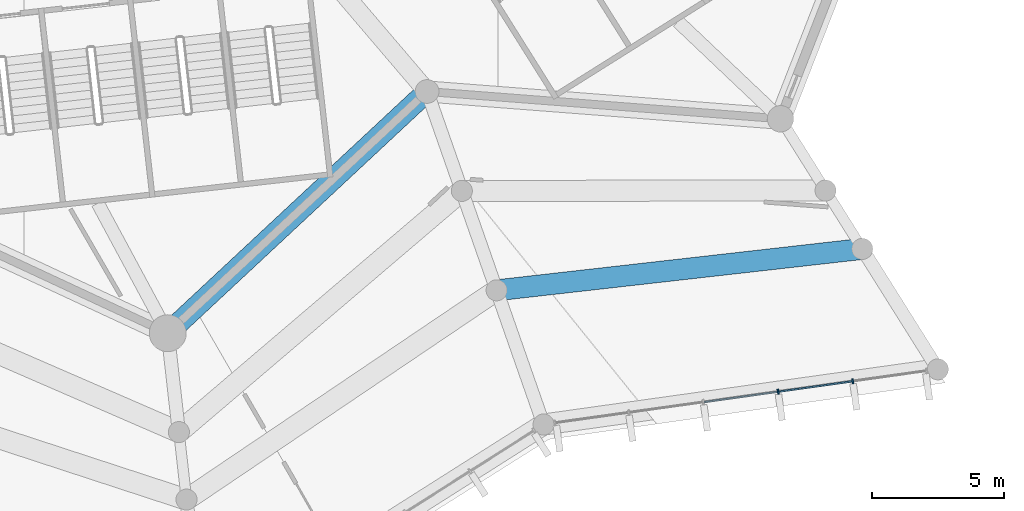
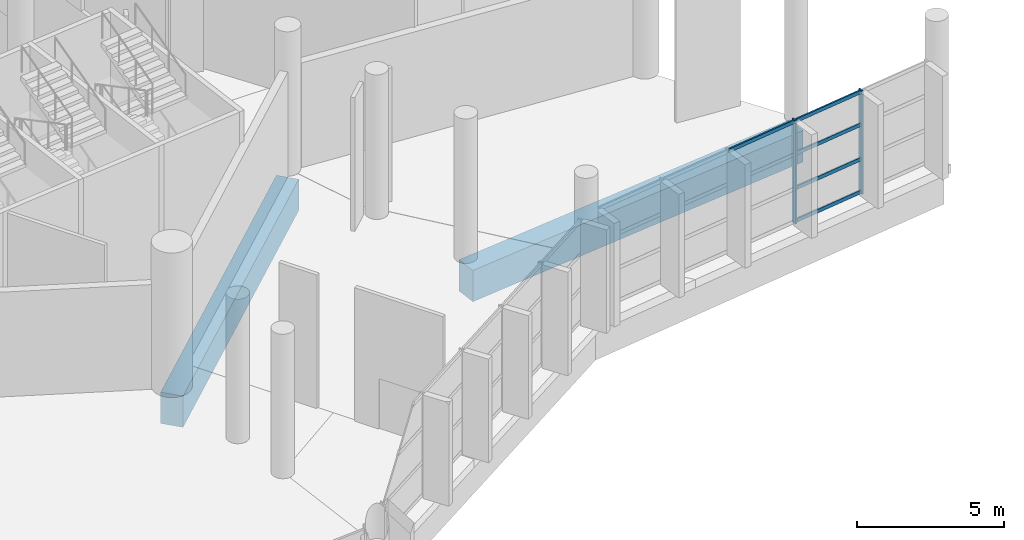
# One storey, part 32 of 249: 7 members, 2 beams, 1 element without a shape of its own.
"""IFC4 building model written with IfcOpenShell, lengths in metres."""

from ifc_helpers import new_model, si_unit, direction, frame, origin, origin_2d, place, context, subcontext, project, spatial, rectangle, extrude, material, layer, layer_set, material_profile, profile_set, type_object, element, aggregate, save


model = new_model("IFC4")

# Units and contexts
model_context = context("Model", 3, precision=1e-05, world=origin(), true_north=direction((0.0, 1.0)))
body_context = subcontext(model_context, "Body", "Model", "MODEL_VIEW")
ifc_project = project(units=[si_unit("LENGTHUNIT", "METRE"), si_unit("AREAUNIT", "SQUARE_METRE"), si_unit("VOLUMEUNIT", "CUBIC_METRE"), si_unit("PLANEANGLEUNIT", "RADIAN"), si_unit("MASSUNIT", "GRAM", prefix="KILO")], contexts=[model_context])

# Site, building, storey
site_placement = place(None, origin())
site = spatial("IfcSite", under=ifc_project, at=site_placement, CompositionType="ELEMENT")
building_placement = place(site_placement, origin())
building = spatial("IfcBuilding", under=site, at=building_placement, Name="Meseta Stadium", CompositionType="ELEMENT")
storey_placement = place(building_placement, frame((0.0, 0.0, 12.0)))
storey = spatial("IfcBuildingStorey", under=building, at=storey_placement, Name="L02", CompositionType="ELEMENT", Elevation=12.0)

# Beams
ifc_material_1 = material(Name="Concrete C40/50", Category="concrete")
ifc_material_profile_1 = material_profile(ifc_material_1, rectangle(XDim=0.800048828125, YDim=1.300048828125, at=origin_2d()), Name="RC 800x1300")
ifc_profile_set_1 = profile_set([ifc_material_profile_1], Name="Concrete C40/50")
beam_type = type_object("IfcBeamType", Name="RC beam 800x1300", PredefinedType="BEAM", material=ifc_profile_set_1)
beam_1_placement = place(storey_placement, frame((52.202880859375, -105.0517578125, -1.0), z_axis=(0.73154053301, 0.681797952889, 0.0), x_axis=(-0.681797952889, 0.73154053301, 0.0)))
element("IfcBeam", 1, at=beam_1_placement, inside=storey, type_object=beam_type, Name="L02 ring beam frame 50 line R", PredefinedType="BEAM", context=body_context, shape_type="SweptSolid", body=[
    extrude(rectangle(XDim=0.800048828125, YDim=1.300048828125, at=origin_2d()), origin(), (0.0, 0.0, 1.0), 13.462890625),
])
beam_2_placement = place(storey_placement, frame((64.69384765625, -103.423828125, -1.0), z_axis=(0.993653668283, 0.112482832054, 0.0), x_axis=(-0.112482832054, 0.993653668283, 0.0)))
element("IfcBeam", 2, at=beam_2_placement, inside=storey, type_object=beam_type, Name="L02 ring beam frame 51 line Q", PredefinedType="BEAM", context=body_context, shape_type="SweptSolid", body=[
    extrude(rectangle(XDim=0.800048828125, YDim=1.300048828125, at=origin_2d()), origin(), (0.0, 0.0, 1.0), 13.9755859375),
])

# Curtain wall, members
ifc_material_2 = material(Name="Aluminium", Category="aluminium")
ifc_layer = layer(ifc_material_2, 0.199951171875)
ifc_layer_set = layer_set([ifc_layer], Name="Ring shopfront curtain wall")
curtain_wall_type = type_object("IfcCurtainWallType", Name="Ring shopfront curtain wall", PredefinedType="NOTDEFINED", material=ifc_layer_set)
curtain_wall_placement = place(storey_placement, origin())
curtain_wall = element("IfcCurtainWall", 3, at=curtain_wall_placement, inside=storey, type_object=curtain_wall_type, Name="Ring glazing L02 F51", PredefinedType="NOTDEFINED")
ifc_material_3 = material(Name="Aluminium", Category="aluminium")
ifc_material_profile_2 = material_profile(ifc_material_3, rectangle(XDim=0.199951171875, YDim=0.06005859375, at=origin_2d()), Name="CW 200x60")
ifc_profile_set_2 = profile_set([ifc_material_profile_2], Name="Aluminium")
member_type_1 = type_object("IfcMemberType", Name="Ring CW mullion 60x200", PredefinedType="MULLION", material=ifc_profile_set_2)
member_1_placement = place(storey_placement, frame((75.3837890625, -107.27392578125, 0.0), z_axis=(0.0, 0.0, 1.0), x_axis=(-0.13864277713, 0.990342456098, 0.0)))
member_1 = element("IfcMember", 4, at=member_1_placement, type_object=member_type_1, Name="CWR1 mullion 4", PredefinedType="MULLION", context=body_context, shape_type="SweptSolid", body=[
    extrude(rectangle(XDim=0.199951171875, YDim=0.06005859375, at=origin_2d()), origin(), (0.0, 0.0, 1.0), 4.300048828125),
])
member_2_placement = place(storey_placement, frame((78.220703125, -106.876708984375, 0.0), z_axis=(0.0, 0.0, 1.0), x_axis=(-0.13864277713, 0.990342456098, 0.0)))
member_2 = element("IfcMember", 5, at=member_2_placement, type_object=member_type_1, Name="CWR1 mullion 5", PredefinedType="MULLION", context=body_context, shape_type="SweptSolid", body=[
    extrude(rectangle(XDim=0.199951171875, YDim=0.06005859375, at=origin_2d()), origin(), (0.0, 0.0, 1.0), 4.300048828125),
])
ifc_material_4 = material(Name="Aluminium", Category="aluminium")
ifc_material_profile_3 = material_profile(ifc_material_4, rectangle(XDim=0.06005859375, YDim=0.14990234375, at=origin_2d()), Name="CW 60x150")
ifc_profile_set_3 = profile_set([ifc_material_profile_3], Name="Aluminium")
member_type_2 = type_object("IfcMemberType", Name="Ring CW transom 60x150", PredefinedType="USERDEFINED", material=ifc_profile_set_3)
member_3_placement = place(storey_placement, frame((72.57666015625, -107.666748046875, 4.22509765625), z_axis=(0.990351067404, 0.138581251587, 0.0), x_axis=(-0.138581251587, 0.990351067404, 0.0)))
member_3 = element("IfcMember", 6, at=member_3_placement, type_object=member_type_2, Name="CWR1 transom 3.4", ObjectType="TRANSOM", PredefinedType="USERDEFINED", context=body_context, shape_type="SweptSolid", body=[
    extrude(rectangle(XDim=0.06005859375, YDim=0.14990234375, at=origin_2d()), origin(), (0.0, 0.0, 1.0), 2.8046875),
])
member_4_placement = place(storey_placement, frame((75.41357421875, -107.269775390625, 0.074951171875), z_axis=(0.99033744297, 0.138678581808, 0.0), x_axis=(-0.138678581808, 0.99033744297, 0.0)))
member_4 = element("IfcMember", 7, at=member_4_placement, type_object=member_type_2, Name="CWR1 transom 4.1", ObjectType="TRANSOM", PredefinedType="USERDEFINED", context=body_context, shape_type="SweptSolid", body=[
    extrude(rectangle(XDim=0.06005859375, YDim=0.14990234375, at=origin_2d()), origin(), (0.0, 0.0, 1.0), 2.804443359375),
])
member_5_placement = place(storey_placement, frame((75.41357421875, -107.269775390625, 1.433349609375), z_axis=(0.99033744297, 0.138678581808, 0.0), x_axis=(-0.138678581808, 0.99033744297, 0.0)))
member_5 = element("IfcMember", 8, at=member_5_placement, type_object=member_type_2, Name="CWR1 transom 4.2", ObjectType="TRANSOM", PredefinedType="USERDEFINED", context=body_context, shape_type="SweptSolid", body=[
    extrude(rectangle(XDim=0.06005859375, YDim=0.14990234375, at=origin_2d()), origin(), (0.0, 0.0, 1.0), 2.804443359375),
])
member_6_placement = place(storey_placement, frame((75.41357421875, -107.269775390625, 2.86669921875), z_axis=(0.99033744297, 0.138678581808, 0.0), x_axis=(-0.138678581808, 0.99033744297, 0.0)))
member_6 = element("IfcMember", 9, at=member_6_placement, type_object=member_type_2, Name="CWR1 transom 4.3", ObjectType="TRANSOM", PredefinedType="USERDEFINED", context=body_context, shape_type="SweptSolid", body=[
    extrude(rectangle(XDim=0.06005859375, YDim=0.14990234375, at=origin_2d()), origin(), (0.0, 0.0, 1.0), 2.804443359375),
])
member_7_placement = place(storey_placement, frame((75.41357421875, -107.269775390625, 4.22509765625), z_axis=(0.99033744297, 0.138678581808, 0.0), x_axis=(-0.138678581808, 0.99033744297, 0.0)))
member_7 = element("IfcMember", 10, at=member_7_placement, type_object=member_type_2, Name="CWR1 transom 4.4", ObjectType="TRANSOM", PredefinedType="USERDEFINED", context=body_context, shape_type="SweptSolid", body=[
    extrude(rectangle(XDim=0.06005859375, YDim=0.14990234375, at=origin_2d()), origin(), (0.0, 0.0, 1.0), 2.804443359375),
])
aggregate(curtain_wall, [member_1, member_2, member_3, member_4, member_5, member_6, member_7])

save(model, "model.ifc")
